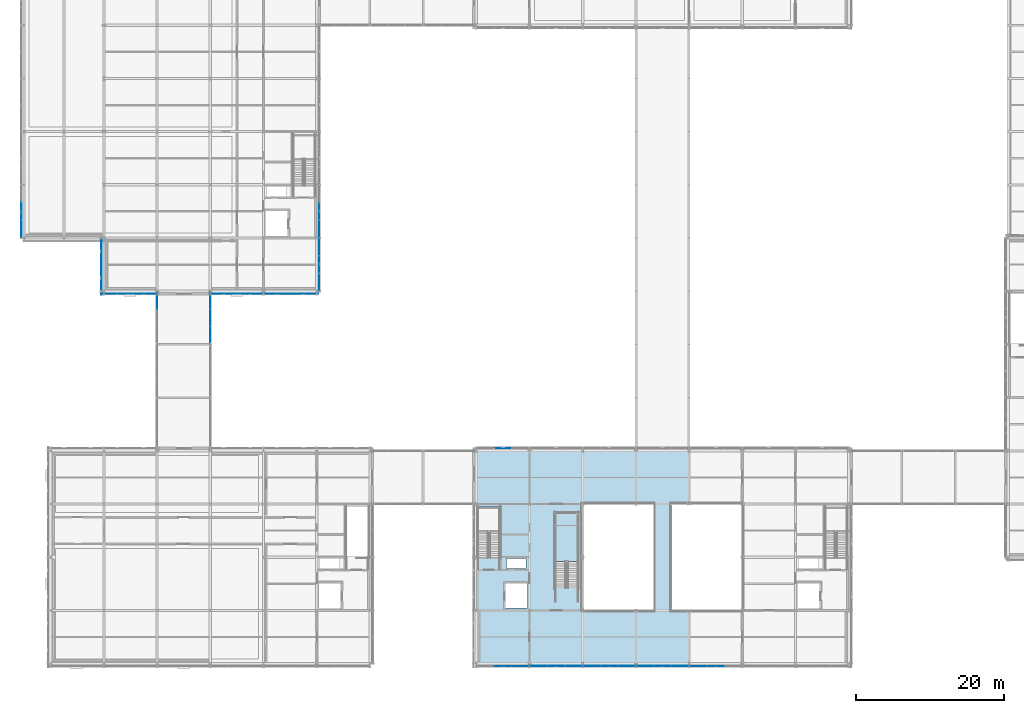
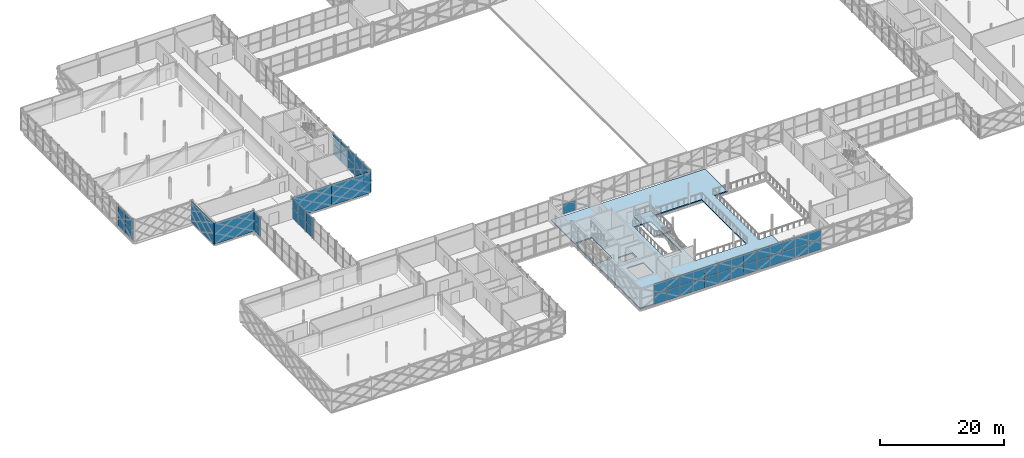
# One storey, part 76 of 126: 53 plates, 2 slabs, 12 elements without a shape of their own.
"""IFC4 building model written with IfcOpenShell, lengths in metres."""

from ifc_helpers import new_model, si_unit, direction, frame, origin, origin_2d, place, context, subcontext, project, spatial, polyline, rectangle, outline, extrude, material, layer, layer_set, type_object, element, aggregate, save


model = new_model("IFC4")

# Units and contexts
model_context = context("Model", 3, precision=1e-05, world=origin(), true_north=direction((0.0, 1.0)))
body_context = subcontext(model_context, "Body", "Model", "MODEL_VIEW")
ifc_project = project(units=[si_unit("LENGTHUNIT", "METRE"), si_unit("AREAUNIT", "SQUARE_METRE"), si_unit("VOLUMEUNIT", "CUBIC_METRE"), si_unit("PLANEANGLEUNIT", "RADIAN"), si_unit("MASSUNIT", "GRAM", prefix="KILO")], contexts=[model_context])

# Site, building, storey
site_placement = place(None, origin())
site = spatial("IfcSite", under=ifc_project, at=site_placement, CompositionType="ELEMENT")
building_placement = place(site_placement, origin())
building = spatial("IfcBuilding", under=site, at=building_placement, Name="Zlatovets Crest Museum", CompositionType="ELEMENT")
storey_placement = place(building_placement, frame((0.0, 0.0, 8.699951171875)))
storey = spatial("IfcBuildingStorey", under=building, at=storey_placement, Name="L02", CompositionType="ELEMENT", Elevation=8.699951171875)

# Curtain wall, plates
ifc_material_1 = material(Name="Bronze-anodised aluminium and low-E triple glass", Category="aluminium")
curtain_wall_type_1 = type_object("IfcCurtainWallType", Name="CW_CW-BR2-L02-S69", PredefinedType="NOTDEFINED", material=ifc_material_1)
curtain_wall_1_placement = place(storey_placement, origin())
curtain_wall_1 = element("IfcCurtainWall", 1, at=curtain_wall_1_placement, inside=storey, type_object=curtain_wall_type_1, Name="West Hillside Glazed Link Bridge L02 Glazed Bridge Curtain Wall", PredefinedType="NOTDEFINED")
ifc_material_2 = material(Name="Solar-control low-E laminated triple glass", Category="glass")
ifc_layer_1 = layer(ifc_material_2, 0.030029296875)
ifc_layer_set_1 = layer_set([ifc_layer_1], Name="Solar-control low-E laminated triple glass")
plate_type_1 = type_object("IfcPlateType", Name="CWPanel_CW-BR2-L02-S69", PredefinedType="CURTAIN_PANEL", material=ifc_layer_set_1)
plate_1_placement = place(storey_placement, frame((14.39990234375, 49.0849609375, 0.06005859375), z_axis=(0.0, 0.0, 1.0), x_axis=(0.0, 1.0, 0.0)))
plate_1 = element("IfcPlate", 2, at=plate_1_placement, type_object=plate_type_1, Name="CW-BR2-L02-S69 panel 3.1", PredefinedType="CURTAIN_PANEL", context=body_context, shape_type="SweptSolid", body=[
    extrude(rectangle(XDim=2.2099609375, YDim=0.030029296875, at=origin_2d()), origin(), (0.0, 0.0, 1.0), 1.89990234375),
])
plate_2_placement = place(storey_placement, frame((14.39990234375, 49.0849609375, 2.02001953125), z_axis=(0.0, 0.0, 1.0), x_axis=(0.0, 1.0, 0.0)))
plate_2 = element("IfcPlate", 3, at=plate_2_placement, type_object=plate_type_1, Name="CW-BR2-L02-S69 panel 3.2", PredefinedType="CURTAIN_PANEL", context=body_context, shape_type="SweptSolid", body=[
    extrude(rectangle(XDim=2.2099609375, YDim=0.030029296875, at=origin_2d()), origin(), (0.0, 0.0, 1.0), 1.89990234375),
])
aggregate(curtain_wall_1, [plate_1, plate_2])

curtain_wall_2_placement = place(storey_placement, origin())
curtain_wall_2 = element("IfcCurtainWall", 4, at=curtain_wall_2_placement, inside=storey, type_object=curtain_wall_type_1, Name="West Hillside Glazed Link Bridge L02 Glazed Bridge Curtain Wall", PredefinedType="NOTDEFINED")
plate_3_placement = place(storey_placement, frame((21.60009765625, 44.514892578125, 0.06005859375), z_axis=(0.0, 0.0, 1.0), x_axis=(0.0, 1.0, 0.0)))
plate_3 = element("IfcPlate", 5, at=plate_3_placement, type_object=plate_type_1, Name="CW-BR2-L02-S69 panel 1.1", PredefinedType="CURTAIN_PANEL", context=body_context, shape_type="SweptSolid", body=[
    extrude(rectangle(XDim=2.2099609375, YDim=0.030029296875, at=origin_2d()), origin(), (0.0, 0.0, 1.0), 1.89990234375),
])
plate_4_placement = place(storey_placement, frame((21.60009765625, 44.514892578125, 2.02001953125), z_axis=(0.0, 0.0, 1.0), x_axis=(0.0, 1.0, 0.0)))
plate_4 = element("IfcPlate", 6, at=plate_4_placement, type_object=plate_type_1, Name="CW-BR2-L02-S69 panel 1.2", PredefinedType="CURTAIN_PANEL", context=body_context, shape_type="SweptSolid", body=[
    extrude(rectangle(XDim=2.2099609375, YDim=0.030029296875, at=origin_2d()), origin(), (0.0, 0.0, 1.0), 1.89990234375),
])
plate_5_placement = place(storey_placement, frame((21.60009765625, 46.800048828125, 0.06005859375), z_axis=(0.0, 0.0, 1.0), x_axis=(0.0, 1.0, 0.0)))
plate_5 = element("IfcPlate", 7, at=plate_5_placement, type_object=plate_type_1, Name="CW-BR2-L02-S69 panel 2.1", PredefinedType="CURTAIN_PANEL", context=body_context, shape_type="SweptSolid", body=[
    extrude(rectangle(XDim=2.239990234375, YDim=0.030029296875, at=origin_2d()), origin(), (0.0, 0.0, 1.0), 1.89990234375),
])
plate_6_placement = place(storey_placement, frame((21.60009765625, 46.800048828125, 2.02001953125), z_axis=(0.0, 0.0, 1.0), x_axis=(0.0, 1.0, 0.0)))
plate_6 = element("IfcPlate", 8, at=plate_6_placement, type_object=plate_type_1, Name="CW-BR2-L02-S69 panel 2.2", PredefinedType="CURTAIN_PANEL", context=body_context, shape_type="SweptSolid", body=[
    extrude(rectangle(XDim=2.239990234375, YDim=0.030029296875, at=origin_2d()), origin(), (0.0, 0.0, 1.0), 1.89990234375),
])
plate_7_placement = place(storey_placement, frame((21.60009765625, 49.0849609375, 0.06005859375), z_axis=(0.0, 0.0, 1.0), x_axis=(0.0, 1.0, 0.0)))
plate_7 = element("IfcPlate", 9, at=plate_7_placement, type_object=plate_type_1, Name="CW-BR2-L02-S69 panel 3.1", PredefinedType="CURTAIN_PANEL", context=body_context, shape_type="SweptSolid", body=[
    extrude(rectangle(XDim=2.2099609375, YDim=0.030029296875, at=origin_2d()), origin(), (0.0, 0.0, 1.0), 1.89990234375),
])
plate_8_placement = place(storey_placement, frame((21.60009765625, 49.0849609375, 2.02001953125), z_axis=(0.0, 0.0, 1.0), x_axis=(0.0, 1.0, 0.0)))
plate_8 = element("IfcPlate", 10, at=plate_8_placement, type_object=plate_type_1, Name="CW-BR2-L02-S69 panel 3.2", PredefinedType="CURTAIN_PANEL", context=body_context, shape_type="SweptSolid", body=[
    extrude(rectangle(XDim=2.2099609375, YDim=0.030029296875, at=origin_2d()), origin(), (0.0, 0.0, 1.0), 1.89990234375),
])
aggregate(curtain_wall_2, [plate_3, plate_4, plate_5, plate_6, plate_7, plate_8])

curtain_wall_type_2 = type_object("IfcCurtainWallType", Name="CW_CW-V2-L02-M0", PredefinedType="NOTDEFINED", material=ifc_material_1)
curtain_wall_3_placement = place(storey_placement, origin())
curtain_wall_3 = element("IfcCurtainWall", 11, at=curtain_wall_3_placement, inside=storey, type_object=curtain_wall_type_2, Name="V2 L02 Secession Foyer Clear Curtain Wall", PredefinedType="NOTDEFINED")
ifc_layer_2 = layer(ifc_material_2, 0.028076171875)
ifc_layer_set_2 = layer_set([ifc_layer_2], Name="Solar-control low-E laminated triple glass")
plate_type_2 = type_object("IfcPlateType", Name="CWPanel_CW-V2-L02-M0", PredefinedType="CURTAIN_PANEL", material=ifc_layer_set_2)
plate_9_placement = place(storey_placement, frame((61.199951171875, -0.340087890625, 0.06005859375), z_axis=(0.0, 0.0, 1.0), x_axis=(1.0, 0.0, 0.0)))
plate_9 = element("IfcPlate", 12, at=plate_9_placement, type_object=plate_type_2, Name="CW-V2-L02-M0 panel 2.1", PredefinedType="CURTAIN_PANEL", context=body_context, shape_type="SweptSolid", body=[
    extrude(rectangle(XDim=2.340087890625, YDim=0.028076171875, at=origin_2d()), origin(), (0.0, 0.0, 1.0), 2.010009765625),
])
plate_10_placement = place(storey_placement, frame((61.199951171875, -0.340087890625, 2.1298828125), z_axis=(0.0, 0.0, 1.0), x_axis=(1.0, 0.0, 0.0)))
plate_10 = element("IfcPlate", 13, at=plate_10_placement, type_object=plate_type_2, Name="CW-V2-L02-M0 panel 2.2", PredefinedType="CURTAIN_PANEL", context=body_context, shape_type="SweptSolid", body=[
    extrude(rectangle(XDim=2.340087890625, YDim=0.028076171875, at=origin_2d()), origin(), (0.0, 0.0, 1.0), 2.010009765625),
])
plate_11_placement = place(storey_placement, frame((63.5849609375, -0.340087890625, 0.06005859375), z_axis=(0.0, 0.0, 1.0), x_axis=(1.0, 0.0, 0.0)))
plate_11 = element("IfcPlate", 14, at=plate_11_placement, type_object=plate_type_2, Name="CW-V2-L02-M0 panel 3.1", PredefinedType="CURTAIN_PANEL", context=body_context, shape_type="SweptSolid", body=[
    extrude(rectangle(XDim=2.31005859375, YDim=0.028076171875, at=origin_2d()), origin(), (0.0, 0.0, 1.0), 2.010009765625),
])
plate_12_placement = place(storey_placement, frame((63.5849609375, -0.340087890625, 2.1298828125), z_axis=(0.0, 0.0, 1.0), x_axis=(1.0, 0.0, 0.0)))
plate_12 = element("IfcPlate", 15, at=plate_12_placement, type_object=plate_type_2, Name="CW-V2-L02-M0 panel 3.2", PredefinedType="CURTAIN_PANEL", context=body_context, shape_type="SweptSolid", body=[
    extrude(rectangle(XDim=2.31005859375, YDim=0.028076171875, at=origin_2d()), origin(), (0.0, 0.0, 1.0), 2.010009765625),
])
aggregate(curtain_wall_3, [plate_9, plate_10, plate_11, plate_12])

curtain_wall_4_placement = place(storey_placement, origin())
curtain_wall_4 = element("IfcCurtainWall", 16, at=curtain_wall_4_placement, inside=storey, type_object=curtain_wall_type_2, Name="V2 L02 Secession Foyer Clear Curtain Wall", PredefinedType="NOTDEFINED")
plate_13_placement = place(storey_placement, frame((87.614990234375, -0.340087890625, 0.06005859375), z_axis=(0.0, 0.0, 1.0), x_axis=(1.0, 0.0, 0.0)))
plate_13 = element("IfcPlate", 17, at=plate_13_placement, type_object=plate_type_2, Name="CW-V2-L02-M0 panel 1.1", PredefinedType="CURTAIN_PANEL", context=body_context, shape_type="SweptSolid", body=[
    extrude(rectangle(XDim=2.31005859375, YDim=0.028076171875, at=origin_2d()), origin(), (0.0, 0.0, 1.0), 2.010009765625),
])
plate_14_placement = place(storey_placement, frame((87.614990234375, -0.340087890625, 2.1298828125), z_axis=(0.0, 0.0, 1.0), x_axis=(1.0, 0.0, 0.0)))
plate_14 = element("IfcPlate", 18, at=plate_14_placement, type_object=plate_type_2, Name="CW-V2-L02-M0 panel 1.2", PredefinedType="CURTAIN_PANEL", context=body_context, shape_type="SweptSolid", body=[
    extrude(rectangle(XDim=2.31005859375, YDim=0.028076171875, at=origin_2d()), origin(), (0.0, 0.0, 1.0), 2.010009765625),
])
plate_15_placement = place(storey_placement, frame((90.0, -0.340087890625, 0.06005859375), z_axis=(0.0, 0.0, 1.0), x_axis=(1.0, 0.0, 0.0)))
plate_15 = element("IfcPlate", 19, at=plate_15_placement, type_object=plate_type_2, Name="CW-V2-L02-M0 panel 2.1", PredefinedType="CURTAIN_PANEL", context=body_context, shape_type="SweptSolid", body=[
    extrude(rectangle(XDim=2.340087890625, YDim=0.028076171875, at=origin_2d()), origin(), (0.0, 0.0, 1.0), 2.010009765625),
])
plate_16_placement = place(storey_placement, frame((90.0, -0.340087890625, 2.1298828125), z_axis=(0.0, 0.0, 1.0), x_axis=(1.0, 0.0, 0.0)))
plate_16 = element("IfcPlate", 20, at=plate_16_placement, type_object=plate_type_2, Name="CW-V2-L02-M0 panel 2.2", PredefinedType="CURTAIN_PANEL", context=body_context, shape_type="SweptSolid", body=[
    extrude(rectangle(XDim=2.340087890625, YDim=0.028076171875, at=origin_2d()), origin(), (0.0, 0.0, 1.0), 2.010009765625),
])
aggregate(curtain_wall_4, [plate_13, plate_14, plate_15, plate_16])

curtain_wall_type_3 = type_object("IfcCurtainWallType", Name="CW_CW-V2-L02-M1", PredefinedType="NOTDEFINED", material=ifc_material_1)
curtain_wall_5_placement = place(storey_placement, origin())
curtain_wall_5 = element("IfcCurtainWall", 21, at=curtain_wall_5_placement, inside=storey, type_object=curtain_wall_type_3, Name="V2 L02 Secession Foyer Clear Curtain Wall", PredefinedType="NOTDEFINED")
ifc_layer_3 = layer(ifc_material_2, 0.031982421875)
ifc_layer_set_3 = layer_set([ifc_layer_3], Name="Solar-control low-E laminated triple glass")
plate_type_3 = type_object("IfcPlateType", Name="CWPanel_CW-V2-L02-M1", PredefinedType="CURTAIN_PANEL", material=ifc_layer_set_3)
plate_17_placement = place(storey_placement, frame((66.014892578125, -0.340087890625, 0.06005859375), z_axis=(0.0, 0.0, 1.0), x_axis=(1.0, 0.0, 0.0)))
plate_17 = element("IfcPlate", 22, at=plate_17_placement, type_object=plate_type_3, Name="CW-V2-L02-M1 panel 1.1", PredefinedType="CURTAIN_PANEL", context=body_context, shape_type="SweptSolid", body=[
    extrude(rectangle(XDim=2.31005859375, YDim=0.031982421875, at=origin_2d()), origin(), (0.0, 0.0, 1.0), 2.010009765625),
])
plate_18_placement = place(storey_placement, frame((66.014892578125, -0.340087890625, 2.1298828125), z_axis=(0.0, 0.0, 1.0), x_axis=(1.0, 0.0, 0.0)))
plate_18 = element("IfcPlate", 23, at=plate_18_placement, type_object=plate_type_3, Name="CW-V2-L02-M1 panel 1.2", PredefinedType="CURTAIN_PANEL", context=body_context, shape_type="SweptSolid", body=[
    extrude(rectangle(XDim=2.31005859375, YDim=0.031982421875, at=origin_2d()), origin(), (0.0, 0.0, 1.0), 2.010009765625),
])
plate_19_placement = place(storey_placement, frame((68.39990234375, -0.340087890625, 0.06005859375), z_axis=(0.0, 0.0, 1.0), x_axis=(1.0, 0.0, 0.0)))
plate_19 = element("IfcPlate", 24, at=plate_19_placement, type_object=plate_type_3, Name="CW-V2-L02-M1 panel 2.1", PredefinedType="CURTAIN_PANEL", context=body_context, shape_type="SweptSolid", body=[
    extrude(rectangle(XDim=2.340087890625, YDim=0.031982421875, at=origin_2d()), origin(), (0.0, 0.0, 1.0), 2.010009765625),
])
plate_20_placement = place(storey_placement, frame((68.39990234375, -0.340087890625, 2.1298828125), z_axis=(0.0, 0.0, 1.0), x_axis=(1.0, 0.0, 0.0)))
plate_20 = element("IfcPlate", 25, at=plate_20_placement, type_object=plate_type_3, Name="CW-V2-L02-M1 panel 2.2", PredefinedType="CURTAIN_PANEL", context=body_context, shape_type="SweptSolid", body=[
    extrude(rectangle(XDim=2.340087890625, YDim=0.031982421875, at=origin_2d()), origin(), (0.0, 0.0, 1.0), 2.010009765625),
])
plate_21_placement = place(storey_placement, frame((70.784912109375, -0.340087890625, 0.06005859375), z_axis=(0.0, 0.0, 1.0), x_axis=(1.0, 0.0, 0.0)))
plate_21 = element("IfcPlate", 26, at=plate_21_placement, type_object=plate_type_3, Name="CW-V2-L02-M1 panel 3.1", PredefinedType="CURTAIN_PANEL", context=body_context, shape_type="SweptSolid", body=[
    extrude(rectangle(XDim=2.31005859375, YDim=0.031982421875, at=origin_2d()), origin(), (0.0, 0.0, 1.0), 2.010009765625),
])
plate_22_placement = place(storey_placement, frame((70.784912109375, -0.340087890625, 2.1298828125), z_axis=(0.0, 0.0, 1.0), x_axis=(1.0, 0.0, 0.0)))
plate_22 = element("IfcPlate", 27, at=plate_22_placement, type_object=plate_type_3, Name="CW-V2-L02-M1 panel 3.2", PredefinedType="CURTAIN_PANEL", context=body_context, shape_type="SweptSolid", body=[
    extrude(rectangle(XDim=2.31005859375, YDim=0.031982421875, at=origin_2d()), origin(), (0.0, 0.0, 1.0), 2.010009765625),
])
aggregate(curtain_wall_5, [plate_17, plate_18, plate_19, plate_20, plate_21, plate_22])

# Curtain wall, plate
curtain_wall_6_placement = place(storey_placement, origin())
curtain_wall_6 = element("IfcCurtainWall", 28, at=curtain_wall_6_placement, inside=storey, type_object=curtain_wall_type_3, Name="V2 L02 Secession Foyer Clear Curtain Wall", PredefinedType="NOTDEFINED")
plate_23_placement = place(storey_placement, frame((61.199951171875, 29.139892578125, 0.06005859375), z_axis=(0.0, 0.0, 1.0), x_axis=(-1.0, 0.0, 0.0)))
plate_23 = element("IfcPlate", 29, at=plate_23_placement, type_object=plate_type_3, Name="CW-V2-L02-M1 panel 2.1", PredefinedType="CURTAIN_PANEL", context=body_context, shape_type="SweptSolid", body=[
    extrude(rectangle(XDim=2.340087890625, YDim=0.031982421875, at=origin_2d()), origin(), (0.0, 0.0, 1.0), 2.010009765625),
])
aggregate(curtain_wall_6, [plate_23])

# Curtain wall, plates
curtain_wall_type_4 = type_object("IfcCurtainWallType", Name="CW_CW-V2-L02-M2", PredefinedType="NOTDEFINED", material=ifc_material_1)
curtain_wall_7_placement = place(storey_placement, origin())
curtain_wall_7 = element("IfcCurtainWall", 30, at=curtain_wall_7_placement, inside=storey, type_object=curtain_wall_type_4, Name="V2 L02 Secession Foyer Clear Curtain Wall", PredefinedType="NOTDEFINED")
ifc_layer_4 = layer(ifc_material_2, 0.035888671875)
ifc_layer_set_4 = layer_set([ifc_layer_4], Name="Solar-control low-E laminated triple glass")
plate_type_4 = type_object("IfcPlateType", Name="CWPanel_CW-V2-L02-M2", PredefinedType="CURTAIN_PANEL", material=ifc_layer_set_4)
plate_24_placement = place(storey_placement, frame((73.215087890625, -0.340087890625, 0.06005859375), z_axis=(0.0, 0.0, 1.0), x_axis=(1.0, 0.0, 0.0)))
plate_24 = element("IfcPlate", 31, at=plate_24_placement, type_object=plate_type_4, Name="CW-V2-L02-M2 panel 1.1", PredefinedType="CURTAIN_PANEL", context=body_context, shape_type="SweptSolid", body=[
    extrude(rectangle(XDim=2.31005859375, YDim=0.035888671875, at=origin_2d()), origin(), (0.0, 0.0, 1.0), 2.010009765625),
])
plate_25_placement = place(storey_placement, frame((73.215087890625, -0.340087890625, 2.1298828125), z_axis=(0.0, 0.0, 1.0), x_axis=(1.0, 0.0, 0.0)))
plate_25 = element("IfcPlate", 32, at=plate_25_placement, type_object=plate_type_4, Name="CW-V2-L02-M2 panel 1.2", PredefinedType="CURTAIN_PANEL", context=body_context, shape_type="SweptSolid", body=[
    extrude(rectangle(XDim=2.31005859375, YDim=0.035888671875, at=origin_2d()), origin(), (0.0, 0.0, 1.0), 2.010009765625),
])
plate_26_placement = place(storey_placement, frame((75.60009765625, -0.340087890625, 0.06005859375), z_axis=(0.0, 0.0, 1.0), x_axis=(1.0, 0.0, 0.0)))
plate_26 = element("IfcPlate", 33, at=plate_26_placement, type_object=plate_type_4, Name="CW-V2-L02-M2 panel 2.1", PredefinedType="CURTAIN_PANEL", context=body_context, shape_type="SweptSolid", body=[
    extrude(rectangle(XDim=2.340087890625, YDim=0.035888671875, at=origin_2d()), origin(), (0.0, 0.0, 1.0), 2.010009765625),
])
plate_27_placement = place(storey_placement, frame((75.60009765625, -0.340087890625, 2.1298828125), z_axis=(0.0, 0.0, 1.0), x_axis=(1.0, 0.0, 0.0)))
plate_27 = element("IfcPlate", 34, at=plate_27_placement, type_object=plate_type_4, Name="CW-V2-L02-M2 panel 2.2", PredefinedType="CURTAIN_PANEL", context=body_context, shape_type="SweptSolid", body=[
    extrude(rectangle(XDim=2.340087890625, YDim=0.035888671875, at=origin_2d()), origin(), (0.0, 0.0, 1.0), 2.010009765625),
])
plate_28_placement = place(storey_placement, frame((77.985107421875, -0.340087890625, 0.06005859375), z_axis=(0.0, 0.0, 1.0), x_axis=(1.0, 0.0, 0.0)))
plate_28 = element("IfcPlate", 35, at=plate_28_placement, type_object=plate_type_4, Name="CW-V2-L02-M2 panel 3.1", PredefinedType="CURTAIN_PANEL", context=body_context, shape_type="SweptSolid", body=[
    extrude(rectangle(XDim=2.31005859375, YDim=0.035888671875, at=origin_2d()), origin(), (0.0, 0.0, 1.0), 2.010009765625),
])
plate_29_placement = place(storey_placement, frame((77.985107421875, -0.340087890625, 2.1298828125), z_axis=(0.0, 0.0, 1.0), x_axis=(1.0, 0.0, 0.0)))
plate_29 = element("IfcPlate", 36, at=plate_29_placement, type_object=plate_type_4, Name="CW-V2-L02-M2 panel 3.2", PredefinedType="CURTAIN_PANEL", context=body_context, shape_type="SweptSolid", body=[
    extrude(rectangle(XDim=2.31005859375, YDim=0.035888671875, at=origin_2d()), origin(), (0.0, 0.0, 1.0), 2.010009765625),
])
aggregate(curtain_wall_7, [plate_24, plate_25, plate_26, plate_27, plate_28, plate_29])

curtain_wall_type_5 = type_object("IfcCurtainWallType", Name="CW_CW-V2-L02-M3", PredefinedType="NOTDEFINED", material=ifc_material_1)
curtain_wall_8_placement = place(storey_placement, origin())
curtain_wall_8 = element("IfcCurtainWall", 37, at=curtain_wall_8_placement, inside=storey, type_object=curtain_wall_type_5, Name="V2 L02 Secession Foyer Clear Curtain Wall", PredefinedType="NOTDEFINED")
ifc_layer_5 = layer(ifc_material_2, 0.0400390625)
ifc_layer_set_5 = layer_set([ifc_layer_5], Name="Solar-control low-E laminated triple glass")
plate_type_5 = type_object("IfcPlateType", Name="CWPanel_CW-V2-L02-M3", PredefinedType="CURTAIN_PANEL", material=ifc_layer_set_5)
plate_30_placement = place(storey_placement, frame((80.4150390625, -0.340087890625, 0.06005859375), z_axis=(0.0, 0.0, 1.0), x_axis=(1.0, 0.0, 0.0)))
plate_30 = element("IfcPlate", 38, at=plate_30_placement, type_object=plate_type_5, Name="CW-V2-L02-M3 panel 1.1", PredefinedType="CURTAIN_PANEL", context=body_context, shape_type="SweptSolid", body=[
    extrude(rectangle(XDim=2.31005859375, YDim=0.0400390625, at=origin_2d()), origin(), (0.0, 0.0, 1.0), 2.010009765625),
])
plate_31_placement = place(storey_placement, frame((80.4150390625, -0.340087890625, 2.1298828125), z_axis=(0.0, 0.0, 1.0), x_axis=(1.0, 0.0, 0.0)))
plate_31 = element("IfcPlate", 39, at=plate_31_placement, type_object=plate_type_5, Name="CW-V2-L02-M3 panel 1.2", PredefinedType="CURTAIN_PANEL", context=body_context, shape_type="SweptSolid", body=[
    extrude(rectangle(XDim=2.31005859375, YDim=0.0400390625, at=origin_2d()), origin(), (0.0, 0.0, 1.0), 2.010009765625),
])
plate_32_placement = place(storey_placement, frame((82.800048828125, -0.340087890625, 0.06005859375), z_axis=(0.0, 0.0, 1.0), x_axis=(1.0, 0.0, 0.0)))
plate_32 = element("IfcPlate", 40, at=plate_32_placement, type_object=plate_type_5, Name="CW-V2-L02-M3 panel 2.1", PredefinedType="CURTAIN_PANEL", context=body_context, shape_type="SweptSolid", body=[
    extrude(rectangle(XDim=2.340087890625, YDim=0.0400390625, at=origin_2d()), origin(), (0.0, 0.0, 1.0), 2.010009765625),
])
plate_33_placement = place(storey_placement, frame((82.800048828125, -0.340087890625, 2.1298828125), z_axis=(0.0, 0.0, 1.0), x_axis=(1.0, 0.0, 0.0)))
plate_33 = element("IfcPlate", 41, at=plate_33_placement, type_object=plate_type_5, Name="CW-V2-L02-M3 panel 2.2", PredefinedType="CURTAIN_PANEL", context=body_context, shape_type="SweptSolid", body=[
    extrude(rectangle(XDim=2.340087890625, YDim=0.0400390625, at=origin_2d()), origin(), (0.0, 0.0, 1.0), 2.010009765625),
])
plate_34_placement = place(storey_placement, frame((85.18505859375, -0.340087890625, 0.06005859375), z_axis=(0.0, 0.0, 1.0), x_axis=(1.0, 0.0, 0.0)))
plate_34 = element("IfcPlate", 42, at=plate_34_placement, type_object=plate_type_5, Name="CW-V2-L02-M3 panel 3.1", PredefinedType="CURTAIN_PANEL", context=body_context, shape_type="SweptSolid", body=[
    extrude(rectangle(XDim=2.31005859375, YDim=0.0400390625, at=origin_2d()), origin(), (0.0, 0.0, 1.0), 2.010009765625),
])
plate_35_placement = place(storey_placement, frame((85.18505859375, -0.340087890625, 2.1298828125), z_axis=(0.0, 0.0, 1.0), x_axis=(1.0, 0.0, 0.0)))
plate_35 = element("IfcPlate", 43, at=plate_35_placement, type_object=plate_type_5, Name="CW-V2-L02-M3 panel 3.2", PredefinedType="CURTAIN_PANEL", context=body_context, shape_type="SweptSolid", body=[
    extrude(rectangle(XDim=2.31005859375, YDim=0.0400390625, at=origin_2d()), origin(), (0.0, 0.0, 1.0), 2.010009765625),
])
aggregate(curtain_wall_8, [plate_30, plate_31, plate_32, plate_33, plate_34, plate_35])

curtain_wall_type_6 = type_object("IfcCurtainWallType", Name="CW_CW-V4-L02-M0", PredefinedType="NOTDEFINED", material=ifc_material_1)
curtain_wall_9_placement = place(storey_placement, origin())
curtain_wall_9 = element("IfcCurtainWall", 44, at=curtain_wall_9_placement, inside=storey, type_object=curtain_wall_type_6, Name="V4 L02 Secession Foyer Clear Curtain Wall", PredefinedType="NOTDEFINED")
ifc_layer_6 = layer(ifc_material_2, 0.028076171875)
ifc_layer_set_6 = layer_set([ifc_layer_6], Name="Solar-control low-E laminated triple glass")
plate_type_6 = type_object("IfcPlateType", Name="CWPanel_CW-V4-L02-M0", PredefinedType="CURTAIN_PANEL", material=ifc_layer_set_6)
plate_36_placement = place(storey_placement, frame((36.340087890625, 51.614990234375, 0.06005859375), z_axis=(0.0, 0.0, 1.0), x_axis=(0.0, 1.0, 0.0)))
plate_36 = element("IfcPlate", 45, at=plate_36_placement, type_object=plate_type_6, Name="CW-V4-L02-M0 panel 1.1", PredefinedType="CURTAIN_PANEL", context=body_context, shape_type="SweptSolid", body=[
    extrude(rectangle(XDim=2.31005859375, YDim=0.028076171875, at=origin_2d()), origin(), (0.0, 0.0, 1.0), 2.010009765625),
])
plate_37_placement = place(storey_placement, frame((36.340087890625, 51.614990234375, 2.1298828125), z_axis=(0.0, 0.0, 1.0), x_axis=(0.0, 1.0, 0.0)))
plate_37 = element("IfcPlate", 46, at=plate_37_placement, type_object=plate_type_6, Name="CW-V4-L02-M0 panel 1.2", PredefinedType="CURTAIN_PANEL", context=body_context, shape_type="SweptSolid", body=[
    extrude(rectangle(XDim=2.31005859375, YDim=0.028076171875, at=origin_2d()), origin(), (0.0, 0.0, 1.0), 2.010009765625),
])
plate_38_placement = place(storey_placement, frame((36.340087890625, 54.0, 0.06005859375), z_axis=(0.0, 0.0, 1.0), x_axis=(0.0, 1.0, 0.0)))
plate_38 = element("IfcPlate", 47, at=plate_38_placement, type_object=plate_type_6, Name="CW-V4-L02-M0 panel 2.1", PredefinedType="CURTAIN_PANEL", context=body_context, shape_type="SweptSolid", body=[
    extrude(rectangle(XDim=2.340087890625, YDim=0.028076171875, at=origin_2d()), origin(), (0.0, 0.0, 1.0), 2.010009765625),
])
plate_39_placement = place(storey_placement, frame((36.340087890625, 54.0, 2.1298828125), z_axis=(0.0, 0.0, 1.0), x_axis=(0.0, 1.0, 0.0)))
plate_39 = element("IfcPlate", 48, at=plate_39_placement, type_object=plate_type_6, Name="CW-V4-L02-M0 panel 2.2", PredefinedType="CURTAIN_PANEL", context=body_context, shape_type="SweptSolid", body=[
    extrude(rectangle(XDim=2.340087890625, YDim=0.028076171875, at=origin_2d()), origin(), (0.0, 0.0, 1.0), 2.010009765625),
])
plate_40_placement = place(storey_placement, frame((36.340087890625, 56.385009765625, 0.06005859375), z_axis=(0.0, 0.0, 1.0), x_axis=(0.0, 1.0, 0.0)))
plate_40 = element("IfcPlate", 49, at=plate_40_placement, type_object=plate_type_6, Name="CW-V4-L02-M0 panel 3.1", PredefinedType="CURTAIN_PANEL", context=body_context, shape_type="SweptSolid", body=[
    extrude(rectangle(XDim=2.31005859375, YDim=0.028076171875, at=origin_2d()), origin(), (0.0, 0.0, 1.0), 2.010009765625),
])
plate_41_placement = place(storey_placement, frame((36.340087890625, 56.385009765625, 2.1298828125), z_axis=(0.0, 0.0, 1.0), x_axis=(0.0, 1.0, 0.0)))
plate_41 = element("IfcPlate", 50, at=plate_41_placement, type_object=plate_type_6, Name="CW-V4-L02-M0 panel 3.2", PredefinedType="CURTAIN_PANEL", context=body_context, shape_type="SweptSolid", body=[
    extrude(rectangle(XDim=2.31005859375, YDim=0.028076171875, at=origin_2d()), origin(), (0.0, 0.0, 1.0), 2.010009765625),
])
aggregate(curtain_wall_9, [plate_36, plate_37, plate_38, plate_39, plate_40, plate_41])

curtain_wall_type_7 = type_object("IfcCurtainWallType", Name="CW_CW-V4-L02-M1", PredefinedType="NOTDEFINED", material=ifc_material_1)
curtain_wall_10_placement = place(storey_placement, origin())
curtain_wall_10 = element("IfcCurtainWall", 51, at=curtain_wall_10_placement, inside=storey, type_object=curtain_wall_type_7, Name="V4 L02 Expressed Core Glazed Facade", PredefinedType="NOTDEFINED")
ifc_layer_7 = layer(ifc_material_2, 0.030029296875)
ifc_layer_set_7 = layer_set([ifc_layer_7], Name="Solar-control low-E laminated triple glass")
plate_type_7 = type_object("IfcPlateType", Name="CWPanel_CW-V4-L02-M1", PredefinedType="CURTAIN_PANEL", material=ifc_layer_set_7)
plate_42_placement = place(storey_placement, frame((36.340087890625, 58.81494140625, 0.06005859375), z_axis=(0.0, 0.0, 1.0), x_axis=(0.0, 1.0, 0.0)))
plate_42 = element("IfcPlate", 52, at=plate_42_placement, type_object=plate_type_7, Name="CW-V4-L02-M1 panel 1.1", PredefinedType="CURTAIN_PANEL", context=body_context, shape_type="SweptSolid", body=[
    extrude(rectangle(XDim=2.31005859375, YDim=0.030029296875, at=origin_2d()), origin(), (0.0, 0.0, 1.0), 2.010009765625),
])
plate_43_placement = place(storey_placement, frame((36.340087890625, 58.81494140625, 2.1298828125), z_axis=(0.0, 0.0, 1.0), x_axis=(0.0, 1.0, 0.0)))
plate_43 = element("IfcPlate", 53, at=plate_43_placement, type_object=plate_type_7, Name="CW-V4-L02-M1 panel 1.2", PredefinedType="CURTAIN_PANEL", context=body_context, shape_type="SweptSolid", body=[
    extrude(rectangle(XDim=2.31005859375, YDim=0.030029296875, at=origin_2d()), origin(), (0.0, 0.0, 1.0), 2.010009765625),
])
plate_44_placement = place(storey_placement, frame((36.340087890625, 61.199951171875, 0.06005859375), z_axis=(0.0, 0.0, 1.0), x_axis=(0.0, 1.0, 0.0)))
plate_44 = element("IfcPlate", 54, at=plate_44_placement, type_object=plate_type_7, Name="CW-V4-L02-M1 panel 2.1", PredefinedType="CURTAIN_PANEL", context=body_context, shape_type="SweptSolid", body=[
    extrude(rectangle(XDim=2.340087890625, YDim=0.030029296875, at=origin_2d()), origin(), (0.0, 0.0, 1.0), 2.010009765625),
])
plate_45_placement = place(storey_placement, frame((36.340087890625, 61.199951171875, 2.1298828125), z_axis=(0.0, 0.0, 1.0), x_axis=(0.0, 1.0, 0.0)))
plate_45 = element("IfcPlate", 55, at=plate_45_placement, type_object=plate_type_7, Name="CW-V4-L02-M1 panel 2.2", PredefinedType="CURTAIN_PANEL", context=body_context, shape_type="SweptSolid", body=[
    extrude(rectangle(XDim=2.340087890625, YDim=0.030029296875, at=origin_2d()), origin(), (0.0, 0.0, 1.0), 2.010009765625),
])
aggregate(curtain_wall_10, [plate_42, plate_43, plate_44, plate_45])

curtain_wall_type_8 = type_object("IfcCurtainWallType", Name="CW_CW-V4-L02-M2", PredefinedType="NOTDEFINED", material=ifc_material_1)
curtain_wall_11_placement = place(storey_placement, origin())
curtain_wall_11 = element("IfcCurtainWall", 56, at=curtain_wall_11_placement, inside=storey, type_object=curtain_wall_type_8, Name="V4 L02 Secession Foyer Clear Curtain Wall", PredefinedType="NOTDEFINED")
ifc_layer_8 = layer(ifc_material_2, 0.030029296875)
ifc_layer_set_8 = layer_set([ifc_layer_8], Name="Solar-control low-E laminated triple glass")
plate_type_8 = type_object("IfcPlateType", Name="CWPanel_CW-V4-L02-M2", PredefinedType="CURTAIN_PANEL", material=ifc_layer_set_8)
plate_46_placement = place(storey_placement, frame((-3.93994140625, 61.199951171875, 0.06005859375), z_axis=(0.0, 0.0, 1.0), x_axis=(0.0, -1.0, 0.0)))
plate_46 = element("IfcPlate", 57, at=plate_46_placement, type_object=plate_type_8, Name="CW-V4-L02-M2 panel 2.1", PredefinedType="CURTAIN_PANEL", context=body_context, shape_type="SweptSolid", body=[
    extrude(rectangle(XDim=2.340087890625, YDim=0.035888671875, at=origin_2d()), origin(), (0.0, 0.0, 1.0), 2.010009765625),
])
plate_47_placement = place(storey_placement, frame((-3.93994140625, 61.199951171875, 2.1298828125), z_axis=(0.0, 0.0, 1.0), x_axis=(0.0, -1.0, 0.0)))
plate_47 = element("IfcPlate", 58, at=plate_47_placement, type_object=plate_type_8, Name="CW-V4-L02-M2 panel 2.2", PredefinedType="CURTAIN_PANEL", context=body_context, shape_type="SweptSolid", body=[
    extrude(rectangle(XDim=2.340087890625, YDim=0.035888671875, at=origin_2d()), origin(), (0.0, 0.0, 1.0), 2.010009765625),
])
plate_48_placement = place(storey_placement, frame((-3.93994140625, 58.81494140625, 0.06005859375), z_axis=(0.0, 0.0, 1.0), x_axis=(0.0, -1.0, 0.0)))
plate_48 = element("IfcPlate", 59, at=plate_48_placement, type_object=plate_type_8, Name="CW-V4-L02-M2 panel 3.1", PredefinedType="CURTAIN_PANEL", context=body_context, shape_type="SweptSolid", body=[
    extrude(rectangle(XDim=2.31005859375, YDim=0.035888671875, at=origin_2d()), origin(), (0.0, 0.0, 1.0), 2.010009765625),
])
plate_49_placement = place(storey_placement, frame((-3.93994140625, 58.81494140625, 2.1298828125), z_axis=(0.0, 0.0, 1.0), x_axis=(0.0, -1.0, 0.0)))
plate_49 = element("IfcPlate", 60, at=plate_49_placement, type_object=plate_type_8, Name="CW-V4-L02-M2 panel 3.2", PredefinedType="CURTAIN_PANEL", context=body_context, shape_type="SweptSolid", body=[
    extrude(rectangle(XDim=2.31005859375, YDim=0.035888671875, at=origin_2d()), origin(), (0.0, 0.0, 1.0), 2.010009765625),
])
aggregate(curtain_wall_11, [plate_46, plate_47, plate_48, plate_49])

# Plates
ifc_material_3 = material(Name="Ceramic-fritted low-E laminated architectural glass", Category="glass")
ifc_layer_9 = layer(ifc_material_3, 0.031982421875)
ifc_layer_set_9 = layer_set([ifc_layer_9], Name="Ceramic-fritted low-E laminated architectural glass")
plate_type_9 = type_object("IfcPlateType", Name="GlazedSpandrel_GSP1", PredefinedType="USERDEFINED", material=ifc_layer_set_9)
plate_50_placement = place(storey_placement, frame((10.699951171875, 50.06005859375, 0.0), z_axis=(0.0, 0.0, 1.0), x_axis=(1.0, 0.0, 0.0)))
element("IfcPlate", 61, at=plate_50_placement, inside=storey, type_object=plate_type_9, Name="V4 L02 Ceramic-Fritted Gallery Glass Skin", ObjectType="GLAZED_SPANDREL", PredefinedType="USERDEFINED", context=body_context, shape_type="SweptSolid", body=[
    extrude(rectangle(XDim=7.39990234375, YDim=0.031982421875, at=origin_2d()), origin(), (0.0, 0.0, 1.0), 4.199951171875),
])
plate_51_placement = place(storey_placement, frame((25.199951171875, 50.06005859375, 0.0), z_axis=(0.0, 0.0, 1.0), x_axis=(1.0, 0.0, 0.0)))
element("IfcPlate", 62, at=plate_51_placement, inside=storey, type_object=plate_type_9, Name="V4 L02 Ceramic-Fritted Gallery Glass Skin", ObjectType="GLAZED_SPANDREL", PredefinedType="USERDEFINED", context=body_context, shape_type="SweptSolid", body=[
    extrude(rectangle(XDim=7.199951171875, YDim=0.031982421875, at=origin_2d()), origin(), (0.0, 0.0, 1.0), 4.199951171875),
])
plate_52_placement = place(storey_placement, frame((32.5, 50.06005859375, 0.0), z_axis=(0.0, 0.0, 1.0), x_axis=(1.0, 0.0, 0.0)))
element("IfcPlate", 63, at=plate_52_placement, inside=storey, type_object=plate_type_9, Name="V4 L02 Ceramic-Fritted Gallery Glass Skin", ObjectType="GLAZED_SPANDREL", PredefinedType="USERDEFINED", context=body_context, shape_type="SweptSolid", body=[
    extrude(rectangle(XDim=7.39990234375, YDim=0.031982421875, at=origin_2d()), origin(), (0.0, 0.0, 1.0), 4.199951171875),
])
plate_53_placement = place(storey_placement, frame((6.860107421875, 53.659912109375, 0.0), z_axis=(0.0, 0.0, 1.0), x_axis=(0.0, 1.0, 0.0)))
element("IfcPlate", 64, at=plate_53_placement, inside=storey, type_object=plate_type_9, Name="V4 L02 Ceramic-Fritted Gallery Glass Skin", ObjectType="GLAZED_SPANDREL", PredefinedType="USERDEFINED", context=body_context, shape_type="SweptSolid", body=[
    extrude(rectangle(XDim=7.47998046875, YDim=0.031982421875, at=origin_2d()), origin(), (0.0, 0.0, 1.0), 4.199951171875),
])

# Slab
ifc_material_4 = material(Name="Concrete C30/37", Category="concrete")
ifc_layer_10 = layer(ifc_material_4, 0.219970703125)
ifc_layer_set_10 = layer_set([ifc_layer_10], Name="Concrete C30/37")
slab_type_1 = type_object("IfcSlabType", Name="Slab_FS-02", PredefinedType="FLOOR", material=ifc_layer_set_10)
slab_1_placement = place(storey_placement, frame((0.0, 0.0, -0.219970703125)))
element("IfcSlab", 65, at=slab_1_placement, inside=storey, type_object=slab_type_1, Name="V2 L02 Structural Slab Panel 1", PredefinedType="FLOOR", context=body_context, shape_type="SweptSolid", body=[
    extrude(outline(polyline([(57.60009765625, 28.800048828125), (86.39990234375, 28.800048828125), (86.39990234375, 21.60009765625), (84.0, 21.60009765625), (84.0, 7.199951171875), (86.39990234375, 7.199951171875), (86.39990234375, 0.0), (57.60009765625, 0.0), (57.60009765625, 28.800048828125)]), holes=[polyline([(72.0, 7.199951171875), (81.60009765625, 7.199951171875), (81.60009765625, 21.60009765625), (72.0, 21.60009765625), (72.0, 7.199951171875)]), polyline([(57.800048828125, 14.5400390625), (60.800048828125, 14.5400390625), (60.800048828125, 21.199951171875), (57.800048828125, 21.199951171875), (57.800048828125, 14.5400390625)]), polyline([(71.39990234375, 20.39990234375), (68.25, 20.39990234375), (68.25, 10.43994140625), (71.39990234375, 10.43994140625), (71.39990234375, 20.39990234375)]), polyline([(64.5, 7.5), (64.5, 10.89990234375), (61.449951171875, 10.89990234375), (61.449951171875, 7.5), (64.5, 7.5)]), polyline([(61.699951171875, 12.85009765625), (64.35009765625, 12.85009765625), (64.35009765625, 14.199951171875), (61.699951171875, 14.199951171875), (61.699951171875, 12.85009765625)])]), origin(), (0.0, 0.0, 1.0), 0.219970703125),
])

# Stair, slab
ifc_material_5 = material(Name="Concrete C35/45", Category="concrete")
stair_type = type_object("IfcStairType", Name="Stair_ST6-26R", PredefinedType="HALF_TURN_STAIR", material=ifc_material_5)
stair_placement = place(storey_placement, origin())
stair = element("IfcStair", 66, at=stair_placement, inside=storey, type_object=stair_type, Name="L02 Atrium Feature Stair ST6", PredefinedType="HALF_TURN_STAIR")
ifc_layer_11 = layer(ifc_material_5, 0.199951171875)
ifc_layer_set_11 = layer_set([ifc_layer_11], Name="Concrete C35/45")
slab_type_2 = type_object("IfcSlabType", Name="StairLanding_SLD1", PredefinedType="LANDING", material=ifc_layer_set_11)
slab_2_placement = place(storey_placement, frame((0.0, 0.0, 1.900146484375)))
slab_2 = element("IfcSlab", 67, at=slab_2_placement, type_object=slab_type_2, Name="ST6 landing 1", PredefinedType="LANDING", context=body_context, shape_type="SweptSolid", body=[
    extrude(outline(polyline([(71.39990234375, 13.800048828125), (71.39990234375, 20.39990234375), (68.25, 20.39990234375), (68.25, 13.800048828125), (71.39990234375, 13.800048828125)])), origin(), (0.0, 0.0, 1.0), 0.199951171875),
])
aggregate(stair, [slab_2])

save(model, "model.ifc")
